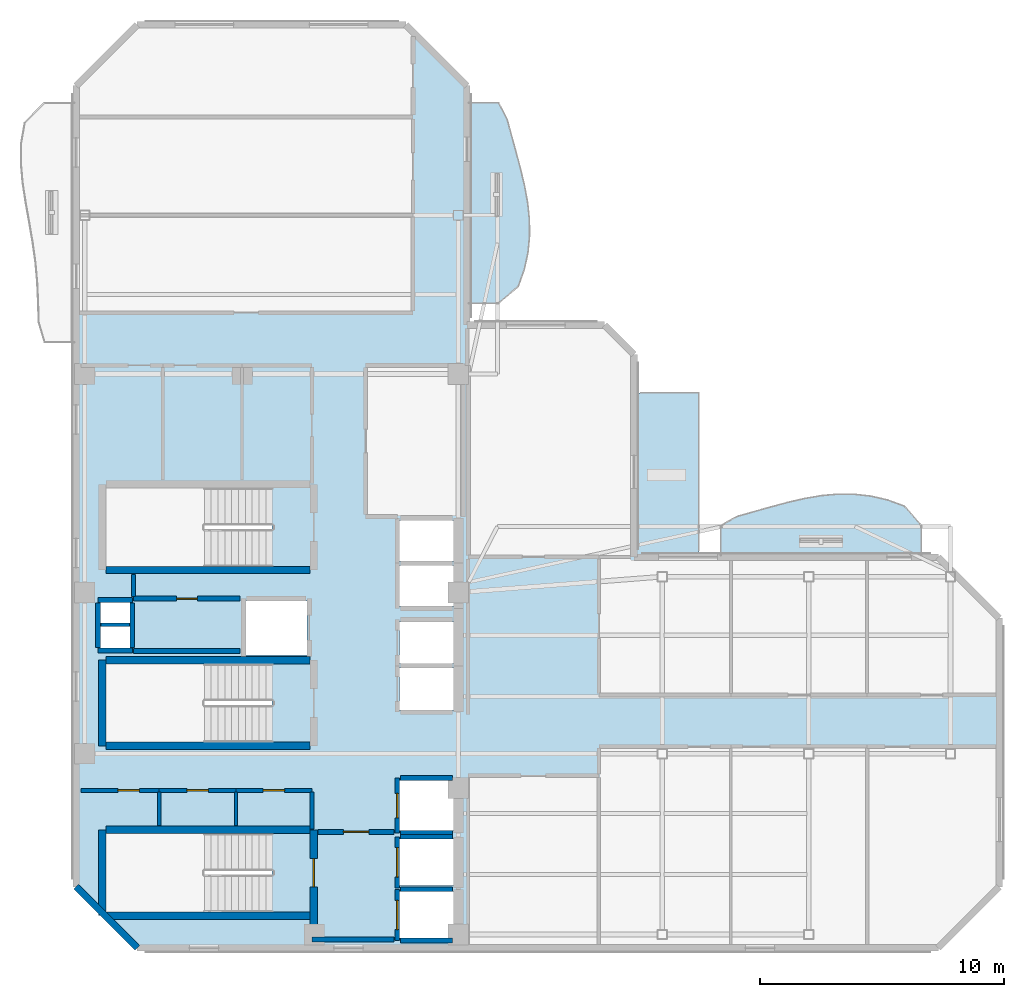
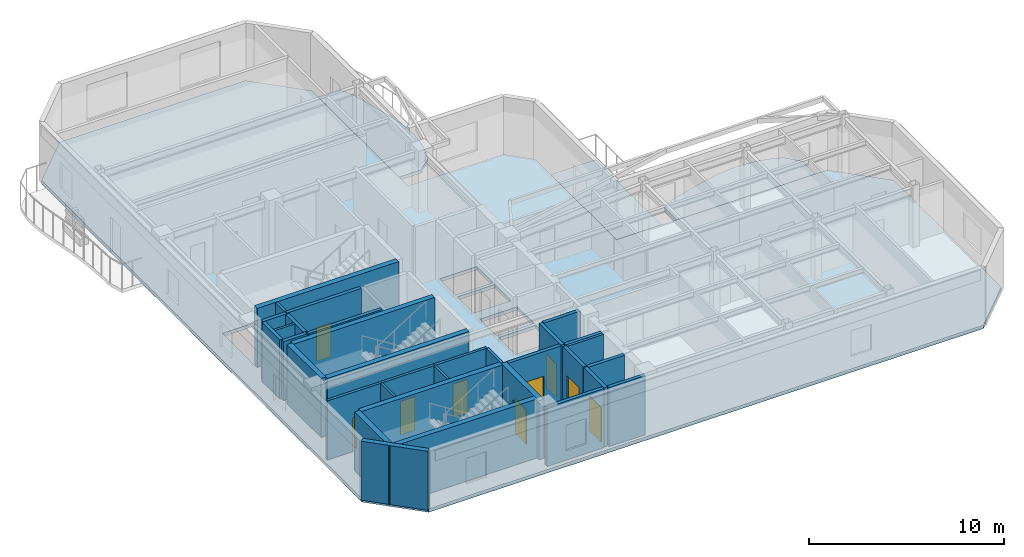
# One storey, part 2 of 8: 33 walls, 9 doors, 4 slabs, 9 openings.
"""IFC4 building model written with IfcOpenShell, lengths in metres."""

from ifc_helpers import new_model, si_unit, direction, frame, frame_2d, origin, place, context, subcontext, project, spatial, polyline, rectangle, outline, extrude, material, layer, layer_set, type_object, element, fill, save


model = new_model("IFC4")

# Units and contexts
model_context = context("Model", 3, precision=1e-05, world=origin(), true_north=direction((0.0, 1.0)))
body_context = subcontext(model_context, "Body", "Model", "MODEL_VIEW")
ifc_project = project(units=[si_unit("LENGTHUNIT", "METRE"), si_unit("AREAUNIT", "SQUARE_METRE"), si_unit("VOLUMEUNIT", "CUBIC_METRE"), si_unit("PLANEANGLEUNIT", "RADIAN"), si_unit("MASSUNIT", "GRAM", prefix="KILO")], contexts=[model_context])

# Site, building, storey
site_placement = place(None, origin())
site = spatial("IfcSite", under=ifc_project, at=site_placement, CompositionType="ELEMENT")
building_placement = place(site_placement, origin())
building = spatial("IfcBuilding", under=site, at=building_placement, Name="Mawjaban Terraces University", CompositionType="ELEMENT")
storey_placement = place(building_placement, frame((0.0, 0.0, 248.199951171875)))
storey = spatial("IfcBuildingStorey", under=building, at=storey_placement, Name="L60", CompositionType="ELEMENT", Elevation=248.199951171875)

# Slabs
ifc_material_1 = material(Name="Concrete C40/50", Category="concrete")
ifc_layer_1 = layer(ifc_material_1, 0.2099609375)
ifc_layer_set_1 = layer_set([ifc_layer_1], Name="Concrete C40/50")
slab_type_1 = type_object("IfcSlabType", Name="BalconySlab_210_Ext", PredefinedType="FLOOR", material=ifc_layer_set_1)
slab_1_placement = place(storey_placement, frame((0.0, 0.0, -0.2099609375)))
element("IfcSlab", 1, at=slab_1_placement, inside=storey, type_object=slab_type_1, Name="L60 Planted Balcony Slab inner_north", PredefinedType="FLOOR", context=body_context, shape_type="SweptSolid", body=[
    extrude(outline(polyline([(48.39990234375, 15.989990234375), (56.60009765625, 15.989990234375), (56.60009765625, 17.300048828125), (55.9169921875, 18.0869140625), (55.23291015625, 18.337890625), (54.550048828125, 18.4951171875), (53.866943359375, 18.572998046875), (53.18310546875, 18.577880859375), (52.5, 18.51611328125), (51.81689453125, 18.39794921875), (51.133056640625, 18.239013671875), (50.449951171875, 18.055908203125), (49.76708984375, 17.864013671875), (49.0830078125, 17.669921875), (48.39990234375, 17.300048828125), (48.39990234375, 15.989990234375)])), origin(), (0.0, 0.0, 1.0), 0.2099609375),
])
slab_2_placement = place(storey_placement, frame((0.0, 0.0, -0.2099609375)))
element("IfcSlab", 2, at=slab_2_placement, inside=storey, type_object=slab_type_1, Name="L60 Planted Balcony Slab inner_east", PredefinedType="FLOOR", context=body_context, shape_type="SweptSolid", body=[
    extrude(outline(polyline([(39.300048828125, 26.39990234375), (40.10009765625, 27.0830078125), (40.346923828125, 27.76708984375), (40.49609375, 28.449951171875), (40.56396484375, 29.133056640625), (40.55810546875, 29.81689453125), (40.487060546875, 30.5), (40.364013671875, 31.18310546875), (40.201904296875, 31.866943359375), (40.02099609375, 32.550048828125), (39.833984375, 33.23291015625), (39.64892578125, 33.9169921875), (39.300048828125, 34.60009765625), (37.989990234375, 34.60009765625), (37.989990234375, 26.39990234375), (39.300048828125, 26.39990234375)])), origin(), (0.0, 0.0, 1.0), 0.2099609375),
])
ifc_layer_2 = layer(ifc_material_1, 0.2099609375)
ifc_layer_set_2 = layer_set([ifc_layer_2], Name="Concrete C40/50")
slab_type_2 = type_object("IfcSlabType", Name="CompositeSlab_210", PredefinedType="FLOOR", material=ifc_layer_set_2)
slab_3_placement = place(storey_placement, frame((0.0, 0.0, -0.2099609375)))
element("IfcSlab", 3, at=slab_3_placement, inside=storey, type_object=slab_type_2, Name="L60 Primary Structural Slab", PredefinedType="FLOOR", context=body_context, shape_type="SweptSolid", body=[
    extrude(outline(polyline([(24.5, 0.0), (57.300048828125, 0.0), (59.800048828125, 2.5), (59.800048828125, 13.5), (57.300048828125, 16.0), (44.840087890625, 16.0), (44.840087890625, 24.300048828125), (43.639892578125, 25.5), (38.0, 25.5), (38.0, 35.300048828125), (35.5, 37.800048828125), (24.5, 37.800048828125), (22.0, 35.300048828125), (22.0, 2.5), (24.5, 0.0)]), holes=[polyline([(30.014892578125, 4.699951171875), (23.199951171875, 4.699951171875), (23.199951171875, 1.449951171875), (30.014892578125, 1.449951171875), (30.014892578125, 4.699951171875)]), polyline([(30.014892578125, 18.85009765625), (23.199951171875, 18.85009765625), (23.199951171875, 15.60009765625), (30.014892578125, 15.60009765625), (30.014892578125, 18.85009765625)]), polyline([(30.014892578125, 11.64990234375), (23.199951171875, 11.64990234375), (23.199951171875, 8.39990234375), (30.014892578125, 8.39990234375), (30.014892578125, 11.64990234375)]), polyline([(35.25, 0.39990234375), (37.449951171875, 0.39990234375), (37.449951171875, 2.300048828125), (35.25, 2.300048828125), (35.25, 0.39990234375)]), polyline([(35.25, 2.550048828125), (37.449951171875, 2.550048828125), (37.449951171875, 4.449951171875), (35.25, 4.449951171875), (35.25, 2.550048828125)]), polyline([(35.25, 4.800048828125), (37.449951171875, 4.800048828125), (37.449951171875, 6.85009765625), (35.25, 6.85009765625), (35.25, 4.800048828125)]), polyline([(35.25, 9.75), (37.449951171875, 9.75), (37.449951171875, 11.449951171875), (35.25, 11.449951171875), (35.25, 9.75)]), polyline([(35.25, 11.64990234375), (37.449951171875, 11.64990234375), (37.449951171875, 13.35009765625), (35.25, 13.35009765625), (35.25, 11.64990234375)]), polyline([(28.949951171875, 12.0), (31.449951171875, 12.0), (31.449951171875, 14.199951171875), (28.949951171875, 14.199951171875), (28.949951171875, 12.0)]), polyline([(35.25, 14.0), (37.449951171875, 14.0), (37.449951171875, 15.64990234375), (35.25, 15.64990234375), (35.25, 14.0)]), polyline([(35.25, 15.85009765625), (37.449951171875, 15.85009765625), (37.449951171875, 17.5), (35.25, 17.5), (35.25, 15.85009765625)]), polyline([(23.0, 12.25), (24.199951171875, 12.25), (24.199951171875, 13.14990234375), (23.0, 13.14990234375), (23.0, 12.25)]), polyline([(23.0, 13.300048828125), (24.199951171875, 13.300048828125), (24.199951171875, 14.179931640625), (23.0, 14.179931640625), (23.0, 13.300048828125)])]), origin(), (0.0, 0.0, 1.0), 0.2099609375),
])
ifc_layer_3 = layer(ifc_material_1, 0.2099609375)
ifc_layer_set_3 = layer_set([ifc_layer_3], Name="Concrete C40/50")
slab_type_3 = type_object("IfcSlabType", Name="StudyTerraceSlab_210_Ext", PredefinedType="FLOOR", material=ifc_layer_set_3)
slab_4_placement = place(storey_placement, frame((0.0, 0.0, -0.2099609375)))
element("IfcSlab", 4, at=slab_4_placement, inside=storey, type_object=slab_type_3, Name="L60 Exterior Study Terrace Slab", PredefinedType="FLOOR", context=body_context, shape_type="SweptSolid", body=[
    extrude(outline(polyline([(44.840087890625, 16.0), (47.5, 16.0), (47.5, 22.72509765625), (44.840087890625, 22.72509765625), (44.840087890625, 16.0)])), origin(), (0.0, 0.0, 1.0), 0.2099609375),
])

# Wall, opening, door
ifc_material_2 = material(Name="Fire-rated gypsum board on steel stud", Category="steel")
ifc_layer_4 = layer(ifc_material_2, 0.159912109375)
ifc_layer_set_4 = layer_set([ifc_layer_4], Name="Fire-rated gypsum board on steel stud")
wall_type_1 = type_object("IfcWallType", Name="CorridorPartition_160", PredefinedType="PARTITIONING", material=ifc_layer_set_4)
wall_1_placement = place(storey_placement, frame((22.199951171875, 6.449951171875, 0.0), z_axis=(0.0, 0.0, 1.0), x_axis=(1.0, 0.0, 0.0)))
wall_1 = element("IfcWall", 5, at=wall_1_placement, inside=storey, type_object=wall_type_1, Name="L60 Core Washroom Lobby Partition 1", PredefinedType="PARTITIONING", context=body_context, shape_type="SweptSolid", body=[
    extrude(rectangle(XDim=3.199951171875, YDim=0.159912109375, at=frame_2d((1.60009765625, 0.0))), origin(), (0.0, 0.0, 1.0), 3.68994140625),
])
opening_1_placement = place(wall_1_placement, frame((1.510009765625, 0.0, 0.0)))
opening_1 = element("IfcOpeningElement", 6, at=opening_1_placement, cuts=wall_1, Name="Opening ID-088", PredefinedType="OPENING", context=body_context, shape_type="SweptSolid", body=[
    extrude(rectangle(XDim=0.8798828125, YDim=2.10009765625, at=frame_2d((0.43994140625, 1.050048828125))), frame((0.0, 0.08984375, 0.0), z_axis=(0.0, -1.0, 0.0), x_axis=(1.0, 0.0, 0.0)), (0.0, 0.0, 1.0), 0.179931640625),
])
ifc_material_3 = material(Name="Powder-coated steel frame and solid acoustic timber leaf", Category="steel")
door_type_1 = type_object("IfcDoorType", Name="ToiletDoor_880x2100", OperationType="NOTDEFINED", PredefinedType="DOOR", material=ifc_material_3)
door_1_placement = place(opening_1_placement, origin())
door_1 = element("IfcDoor", 7, at=door_1_placement, inside=storey, type_object=door_type_1, Name="L60 Male Toilet Door", OperationType="SINGLE_SWING_RIGHT", OverallHeight=2.10009765625, OverallWidth=0.8798828125, PredefinedType="DOOR", context=body_context, shape_type="SweptSolid", body=[
    extrude(rectangle(XDim=0.8798828125, YDim=2.10009765625, at=frame_2d((0.43994140625, 1.050048828125))), frame((0.0, 0.02490234375, 0.0), z_axis=(0.0, -1.0, 0.0), x_axis=(1.0, 0.0, 0.0)), (0.0, 0.0, 1.0), 0.050048828125),
])
fill(opening_1, door_1)

wall_2_placement = place(storey_placement, frame((25.39990234375, 6.449951171875, 0.0), z_axis=(0.0, 0.0, 1.0), x_axis=(1.0, 0.0, 0.0)))
wall_2 = element("IfcWall", 8, at=wall_2_placement, inside=storey, type_object=wall_type_1, Name="L60 Core Washroom Lobby Partition 4", PredefinedType="PARTITIONING", context=body_context, shape_type="SweptSolid", body=[
    extrude(rectangle(XDim=3.150146484375, YDim=0.159912109375, at=frame_2d((1.5751953125, 0.0))), origin(), (0.0, 0.0, 1.0), 3.68994140625),
])
opening_2_placement = place(wall_2_placement, frame((1.135009765625, 0.0, 0.0)))
opening_2 = element("IfcOpeningElement", 9, at=opening_2_placement, cuts=wall_2, Name="Opening ID-088", PredefinedType="OPENING", context=body_context, shape_type="SweptSolid", body=[
    extrude(rectangle(XDim=0.8798828125, YDim=2.10009765625, at=frame_2d((0.43994140625, 1.050048828125))), frame((0.0, 0.08984375, 0.0), z_axis=(0.0, -1.0, 0.0), x_axis=(1.0, 0.0, 0.0)), (0.0, 0.0, 1.0), 0.179931640625),
])
door_2_placement = place(opening_2_placement, origin())
door_2 = element("IfcDoor", 10, at=door_2_placement, inside=storey, type_object=door_type_1, Name="L60 Female Toilet Door", OperationType="SINGLE_SWING_LEFT", OverallHeight=2.10009765625, OverallWidth=0.8798828125, PredefinedType="DOOR", context=body_context, shape_type="SweptSolid", body=[
    extrude(rectangle(XDim=0.8798828125, YDim=2.10009765625, at=frame_2d((0.43994140625, 1.050048828125))), frame((0.0, 0.02490234375, 0.0), z_axis=(0.0, -1.0, 0.0), x_axis=(1.0, 0.0, 0.0)), (0.0, 0.0, 1.0), 0.050048828125),
])
fill(opening_2, door_2)

wall_3_placement = place(storey_placement, frame((28.550048828125, 6.449951171875, 0.0), z_axis=(0.0, 0.0, 1.0), x_axis=(1.0, 0.0, 0.0)))
wall_3 = element("IfcWall", 11, at=wall_3_placement, inside=storey, type_object=wall_type_1, Name="L60 Core Washroom Lobby Partition 6", PredefinedType="PARTITIONING", context=body_context, shape_type="SweptSolid", body=[
    extrude(rectangle(XDim=3.099853515625, YDim=0.159912109375, at=frame_2d((1.5498046875, 0.0))), origin(), (0.0, 0.0, 1.0), 3.68994140625),
])
opening_3_placement = place(wall_3_placement, frame((1.110107421875, 0.0, 0.0)))
opening_3 = element("IfcOpeningElement", 12, at=opening_3_placement, cuts=wall_3, Name="Opening ID-088", PredefinedType="OPENING", context=body_context, shape_type="SweptSolid", body=[
    extrude(rectangle(XDim=0.8798828125, YDim=2.10009765625, at=frame_2d((0.43994140625, 1.050048828125))), frame((0.0, 0.08984375, 0.0), z_axis=(0.0, -1.0, 0.0), x_axis=(1.0, 0.0, 0.0)), (0.0, 0.0, 1.0), 0.179931640625),
])
door_3_placement = place(opening_3_placement, origin())
door_3 = element("IfcDoor", 13, at=door_3_placement, inside=storey, type_object=door_type_1, Name="L60 Accessible Toilet Door", OperationType="SINGLE_SWING_RIGHT", OverallHeight=2.10009765625, OverallWidth=0.8798828125, PredefinedType="DOOR", context=body_context, shape_type="SweptSolid", body=[
    extrude(rectangle(XDim=0.8798828125, YDim=2.10009765625, at=frame_2d((0.43994140625, 1.050048828125))), frame((0.0, 0.02490234375, 0.0), z_axis=(0.0, -1.0, 0.0), x_axis=(1.0, 0.0, 0.0)), (0.0, 0.0, 1.0), 0.050048828125),
])
fill(opening_3, door_3)

# Walls
wall_4_placement = place(storey_placement, frame((24.35009765625, 15.2900390625, 0.0), z_axis=(0.0, 0.0, 1.0), x_axis=(0.0, -1.0, 0.0)))
element("IfcWall", 14, at=wall_4_placement, inside=storey, type_object=wall_type_1, Name="L60 Core Riser Access Passage Partition 25", PredefinedType="PARTITIONING", context=body_context, shape_type="SweptSolid", body=[
    extrude(rectangle(XDim=0.89501953125, YDim=0.159912109375, at=frame_2d((0.447509765625, 0.0))), origin(), (0.0, 0.0, 1.0), 3.68994140625),
])
wall_5_placement = place(storey_placement, frame((31.64990234375, 4.860107421875, 0.0), z_axis=(0.0, 0.0, 1.0), x_axis=(0.0, 1.0, 0.0)))
element("IfcWall", 15, at=wall_5_placement, inside=storey, type_object=wall_type_1, Name="L60 Accessible Toilet Partition 30", PredefinedType="PARTITIONING", context=body_context, shape_type="SweptSolid", body=[
    extrude(rectangle(XDim=1.514892578125, YDim=0.159912109375, at=frame_2d((0.75732421875, 0.0))), origin(), (0.0, 0.0, 1.0), 3.68994140625),
])
ifc_material_4 = material(Name="Insulated terracotta rainscreen on concrete backup C40/50", Category="masonry")
ifc_layer_5 = layer(ifc_material_4, 0.27490234375)
ifc_layer_set_5 = layer_set([ifc_layer_5], Name="Insulated terracotta rainscreen on concrete backup C40/50")
wall_type_2 = type_object("IfcWallType", Name="ExtTerracottaWall_275", PredefinedType="SOLIDWALL", material=ifc_layer_set_5)
wall_6_placement = place(storey_placement, frame((22.0, 2.5, 0.0), z_axis=(0.0, 0.0, 1.0), x_axis=(0.707106781187, -0.707106781187, 0.0)))
element("IfcWall", 16, at=wall_6_placement, inside=storey, type_object=wall_type_2, Name="L60 Exterior Terracotta Wall 14", PredefinedType="SOLIDWALL", context=body_context, shape_type="SweptSolid", body=[
    extrude(rectangle(XDim=3.53564453125, YDim=0.27490234375, at=frame_2d((1.767822265625, 0.0))), origin(), (0.0, 0.0, 1.0), 3.68994140625),
])

# Wall, opening, door
ifc_layer_6 = layer(ifc_material_1, 0.199951171875)
ifc_layer_set_6 = layer_set([ifc_layer_6], Name="Concrete C40/50")
wall_type_3 = type_object("IfcWallType", Name="FireLobbyWall_200", PredefinedType="SOLIDWALL", material=ifc_layer_set_6)
wall_7_placement = place(storey_placement, frame((35.14990234375, 2.39990234375, 0.0), z_axis=(0.0, 0.0, 1.0), x_axis=(0.0, -1.0, 0.0)))
wall_7 = element("IfcWall", 17, at=wall_7_placement, inside=storey, type_object=wall_type_3, Name="L60 Lift FL-1 Hoistway Wall West", PredefinedType="SOLIDWALL", context=body_context, shape_type="SweptSolid", body=[
    extrude(rectangle(XDim=2.099853515625, YDim=0.199951171875, at=frame_2d((1.0498046875, 0.0))), origin(), (0.0, 0.0, 1.0), 3.68994140625),
])
opening_4_placement = place(wall_7_placement, frame((0.449951171875, 0.0, 0.0)))
opening_4 = element("IfcOpeningElement", 18, at=opening_4_placement, cuts=wall_7, Name="Opening LD-FL-1", PredefinedType="OPENING", context=body_context, shape_type="SweptSolid", body=[
    extrude(rectangle(XDim=1.199951171875, YDim=2.14990234375, at=frame_2d((0.60009765625, 1.074951171875))), frame((0.0, 0.10986328125, 0.0), z_axis=(0.0, -1.0, 0.0), x_axis=(1.0, 0.0, 0.0)), (0.0, 0.0, 1.0), 0.219970703125),
])
ifc_material_5 = material(Name="Powder-coated steel frame and fire-rated steel-faced leaf", Category="steel")
door_type_2 = type_object("IfcDoorType", Name="LiftLandingFSAE_1200x2150", OperationType="NOTDEFINED", PredefinedType="DOOR", material=ifc_material_5)
door_4_placement = place(opening_4_placement, origin())
door_4 = element("IfcDoor", 19, at=door_4_placement, inside=storey, type_object=door_type_2, Name="L60 Lift FL-1 Sliding Landing Door", OperationType="DOUBLE_DOOR_SLIDING", OverallHeight=2.14990234375, OverallWidth=1.199951171875, PredefinedType="DOOR", context=body_context, shape_type="SweptSolid", body=[
    extrude(rectangle(XDim=1.199951171875, YDim=2.14990234375, at=frame_2d((0.60009765625, 1.074951171875))), frame((0.0, 0.02490234375, 0.0), z_axis=(0.0, -1.0, 0.0), x_axis=(1.0, 0.0, 0.0)), (0.0, 0.0, 1.0), 0.050048828125),
])
fill(opening_4, door_4)

# Walls
for number, where, z_axis, x_axis, name in (
    (20, (35.280029296875, 0.300048828125, 0.0), (0.0, 0.0, 1.0), (1.0, 0.0, 0.0), "L60 Lift FL-1 Hoistway Wall South"),
    (21, (37.419921875, 2.39990234375, 0.0), (0.0, 0.0, 1.0), (-1.0, 0.0, 0.0), "L60 Lift FL-1 Hoistway Wall North"),
):
    element("IfcWall", number, at=place(storey_placement, frame(where, z_axis=z_axis, x_axis=x_axis)), inside=storey, type_object=wall_type_3, Name=name, PredefinedType="SOLIDWALL", context=body_context, shape_type="SweptSolid", body=[
        extrude(rectangle(XDim=2.139892578125, YDim=0.199951171875, at=frame_2d((1.06982421875, 0.0))), origin(), (0.0, 0.0, 1.0), 3.68994140625),
    ])

# Wall, opening, door
wall_8_placement = place(storey_placement, frame((35.14990234375, 4.550048828125, 0.0), z_axis=(0.0, 0.0, 1.0), x_axis=(0.0, -1.0, 0.0)))
wall_8 = element("IfcWall", 22, at=wall_8_placement, inside=storey, type_object=wall_type_3, Name="L60 Lift FL-2 Hoistway Wall West", PredefinedType="SOLIDWALL", context=body_context, shape_type="SweptSolid", body=[
    extrude(rectangle(XDim=2.10009765625, YDim=0.199951171875, at=frame_2d((1.050048828125, 0.0))), origin(), (0.0, 0.0, 1.0), 3.68994140625),
])
opening_5_placement = place(wall_8_placement, frame((0.449951171875, 0.0, 0.0)))
opening_5 = element("IfcOpeningElement", 23, at=opening_5_placement, cuts=wall_8, Name="Opening LD-FL-2", PredefinedType="OPENING", context=body_context, shape_type="SweptSolid", body=[
    extrude(rectangle(XDim=1.199951171875, YDim=2.14990234375, at=frame_2d((0.60009765625, 1.074951171875))), frame((0.0, 0.10986328125, 0.0), z_axis=(0.0, -1.0, 0.0), x_axis=(1.0, 0.0, 0.0)), (0.0, 0.0, 1.0), 0.219970703125),
])
door_5_placement = place(opening_5_placement, origin())
door_5 = element("IfcDoor", 24, at=door_5_placement, inside=storey, type_object=door_type_2, Name="L60 Lift FL-2 Sliding Landing Door", OperationType="DOUBLE_DOOR_SLIDING", OverallHeight=2.14990234375, OverallWidth=1.199951171875, PredefinedType="DOOR", context=body_context, shape_type="SweptSolid", body=[
    extrude(rectangle(XDim=1.199951171875, YDim=2.14990234375, at=frame_2d((0.60009765625, 1.074951171875))), frame((0.0, 0.02490234375, 0.0), z_axis=(0.0, -1.0, 0.0), x_axis=(1.0, 0.0, 0.0)), (0.0, 0.0, 1.0), 0.050048828125),
])
fill(opening_5, door_5)

# Wall
wall_9_placement = place(storey_placement, frame((37.419921875, 4.550048828125, 0.0), z_axis=(0.0, 0.0, 1.0), x_axis=(-1.0, 0.0, 0.0)))
element("IfcWall", 25, at=wall_9_placement, inside=storey, type_object=wall_type_3, Name="L60 Lift FL-2 Hoistway Wall North", PredefinedType="SOLIDWALL", context=body_context, shape_type="SweptSolid", body=[
    extrude(rectangle(XDim=2.139892578125, YDim=0.199951171875, at=frame_2d((1.06982421875, 0.0))), origin(), (0.0, 0.0, 1.0), 3.68994140625),
])

# Wall, opening, door
wall_10_placement = place(storey_placement, frame((35.14990234375, 6.949951171875, 0.0), z_axis=(0.0, 0.0, 1.0), x_axis=(0.0, -1.0, 0.0)))
wall_10 = element("IfcWall", 26, at=wall_10_placement, inside=storey, type_object=wall_type_3, Name="L60 Lift SL-1 Hoistway Wall West", PredefinedType="SOLIDWALL", context=body_context, shape_type="SweptSolid", body=[
    extrude(rectangle(XDim=2.25, YDim=0.199951171875, at=frame_2d((1.125, 0.0))), origin(), (0.0, 0.0, 1.0), 3.68994140625),
])
opening_6_placement = place(wall_10_placement, frame((0.625, 0.0, 0.0)))
opening_6 = element("IfcOpeningElement", 27, at=opening_6_placement, cuts=wall_10, Name="Opening LD-SL-1", PredefinedType="OPENING", context=body_context, shape_type="SweptSolid", body=[
    extrude(rectangle(XDim=1.0, YDim=2.10009765625, at=frame_2d((0.5, 1.050048828125))), frame((0.0, 0.10986328125, 0.0), z_axis=(0.0, -1.0, 0.0), x_axis=(1.0, 0.0, 0.0)), (0.0, 0.0, 1.0), 0.219970703125),
])
door_type_3 = type_object("IfcDoorType", Name="LiftLandingSliding_1000x2100", OperationType="NOTDEFINED", PredefinedType="DOOR", material=ifc_material_5)
door_6_placement = place(opening_6_placement, origin())
door_6 = element("IfcDoor", 28, at=door_6_placement, inside=storey, type_object=door_type_3, Name="L60 Lift SL-1 Sliding Landing Door", OperationType="DOUBLE_DOOR_SLIDING", OverallHeight=2.10009765625, OverallWidth=1.0, PredefinedType="DOOR", context=body_context, shape_type="SweptSolid", body=[
    extrude(rectangle(XDim=1.0, YDim=2.10009765625, at=frame_2d((0.5, 1.050048828125))), frame((0.0, 0.02490234375, 0.0), z_axis=(0.0, -1.0, 0.0), x_axis=(1.0, 0.0, 0.0)), (0.0, 0.0, 1.0), 0.050048828125),
])
fill(opening_6, door_6)

# Walls
for number, where, z_axis, x_axis, name in (
    (29, (35.280029296875, 4.699951171875, 0.0), (0.0, 0.0, 1.0), (1.0, 0.0, 0.0), "L60 Lift SL-1 Hoistway Wall South"),
    (30, (37.419921875, 6.949951171875, 0.0), (0.0, 0.0, 1.0), (-1.0, 0.0, 0.0), "L60 Lift SL-1 Hoistway Wall North"),
):
    element("IfcWall", number, at=place(storey_placement, frame(where, z_axis=z_axis, x_axis=x_axis)), inside=storey, type_object=wall_type_3, Name=name, PredefinedType="SOLIDWALL", context=body_context, shape_type="SweptSolid", body=[
        extrude(rectangle(XDim=2.139892578125, YDim=0.199951171875, at=frame_2d((1.06982421875, 0.0))), origin(), (0.0, 0.0, 1.0), 3.68994140625),
    ])
for number, where, z_axis, x_axis, name in (
    (31, (22.89990234375, 14.25, 0.0), (0.0, 0.0, 1.0), (1.0, 0.0, 0.0), "L60 MEP Riser Shaft Wall N"),
    (32, (22.89990234375, 12.179931640625, 0.0), (0.0, 0.0, 1.0), (1.0, 0.0, 0.0), "L60 MEP Riser Shaft Wall S"),
):
    element("IfcWall", number, at=place(storey_placement, frame(where, z_axis=z_axis, x_axis=x_axis)), inside=storey, type_object=wall_type_3, Name=name, PredefinedType="SOLIDWALL", context=body_context, shape_type="SweptSolid", body=[
        extrude(rectangle(XDim=1.400146484375, YDim=0.199951171875, at=frame_2d((0.7001953125, 0.0))), origin(), (0.0, 0.0, 1.0), 3.68994140625),
    ])
for number, where, z_axis, x_axis, name in (
    (33, (24.300048828125, 12.300048828125, 0.0), (0.0, 0.0, 1.0), (0.0, 1.0, 0.0), "L60 MEP Riser Shaft Wall E"),
    (34, (22.89990234375, 12.300048828125, 0.0), (0.0, 0.0, 1.0), (0.0, 1.0, 0.0), "L60 MEP Riser Shaft Wall W"),
):
    element("IfcWall", number, at=place(storey_placement, frame(where, z_axis=z_axis, x_axis=x_axis)), inside=storey, type_object=wall_type_3, Name=name, PredefinedType="SOLIDWALL", context=body_context, shape_type="SweptSolid", body=[
        extrude(rectangle(XDim=1.829833984375, YDim=0.199951171875, at=frame_2d((0.9150390625, 0.0))), origin(), (0.0, 0.0, 1.0), 3.68994140625),
    ])
wall_11_placement = place(storey_placement, frame((24.35009765625, 12.14990234375, 0.0), z_axis=(0.0, 0.0, 1.0), x_axis=(1.0, 0.0, 0.0)))
element("IfcWall", 35, at=wall_11_placement, inside=storey, type_object=wall_type_3, Name="L60 IT and Telecoms Riser Room Partition 2", PredefinedType="SOLIDWALL", context=body_context, shape_type="SweptSolid", body=[
    extrude(rectangle(XDim=4.369873046875, YDim=0.199951171875, at=frame_2d((2.18505859375, 0.0))), origin(), (0.0, 0.0, 1.0), 3.68994140625),
])

# Wall, opening, door
wall_12_placement = place(storey_placement, frame((24.35009765625, 14.300048828125, 0.0), z_axis=(0.0, 0.0, 1.0), x_axis=(1.0, 0.0, 0.0)))
wall_12 = element("IfcWall", 36, at=wall_12_placement, inside=storey, type_object=wall_type_3, Name="L60 Core Riser Access Passage Partition 3", PredefinedType="SOLIDWALL", context=body_context, shape_type="SweptSolid", body=[
    extrude(rectangle(XDim=4.369873046875, YDim=0.199951171875, at=frame_2d((2.18505859375, 0.0))), origin(), (0.0, 0.0, 1.0), 3.68994140625),
])
opening_7_placement = place(wall_12_placement, frame((1.760009765625, 0.0, 0.0)))
opening_7 = element("IfcOpeningElement", 37, at=opening_7_placement, cuts=wall_12, Name="Opening FD-085", PredefinedType="OPENING", context=body_context, shape_type="SweptSolid", body=[
    extrude(rectangle(XDim=0.85009765625, YDim=2.10009765625, at=frame_2d((0.425048828125, 1.050048828125))), frame((0.0, 0.10986328125, 0.0), z_axis=(0.0, -1.0, 0.0), x_axis=(1.0, 0.0, 0.0)), (0.0, 0.0, 1.0), 0.219970703125),
])
door_type_4 = type_object("IfcDoorType", Name="FireRiserDoor_850x2100", OperationType="NOTDEFINED", PredefinedType="DOOR", material=ifc_material_5)
door_7_placement = place(opening_7_placement, origin())
door_7 = element("IfcDoor", 38, at=door_7_placement, inside=storey, type_object=door_type_4, Name="L60 IT and Telecoms Riser Room Door", OperationType="SINGLE_SWING_LEFT", OverallHeight=2.10009765625, OverallWidth=0.85009765625, PredefinedType="DOOR", context=body_context, shape_type="SweptSolid", body=[
    extrude(rectangle(XDim=0.85009765625, YDim=2.10009765625, at=frame_2d((0.425048828125, 1.050048828125))), frame((0.0, 0.02490234375, 0.0), z_axis=(0.0, -1.0, 0.0), x_axis=(1.0, 0.0, 0.0)), (0.0, 0.0, 1.0), 0.050048828125),
])
fill(opening_7, door_7)

# Wall
wall_13_placement = place(storey_placement, frame((31.64990234375, 0.35009765625, 0.0), z_axis=(0.0, 0.0, 1.0), x_axis=(1.0, 0.0, 0.0)))
element("IfcWall", 39, at=wall_13_placement, inside=storey, type_object=wall_type_3, Name="L60 Firefighting Lift Lobby Partition 8", PredefinedType="SOLIDWALL", context=body_context, shape_type="SweptSolid", body=[
    extrude(rectangle(XDim=3.3701171875, YDim=0.199951171875, at=frame_2d((1.68505859375, 0.0))), origin(), (0.0, 0.0, 1.0), 3.68994140625),
])

# Wall, opening, door
wall_14_placement = place(storey_placement, frame((35.02001953125, 4.75, 0.0), z_axis=(0.0, 0.0, 1.0), x_axis=(-1.0, 0.0, 0.0)))
wall_14 = element("IfcWall", 40, at=wall_14_placement, inside=storey, type_object=wall_type_3, Name="L60 Firefighting Lift Lobby Partition 11", PredefinedType="SOLIDWALL", context=body_context, shape_type="SweptSolid", body=[
    extrude(rectangle(XDim=3.110107421875, YDim=0.199951171875, at=frame_2d((1.55517578125, 0.0))), origin(), (0.0, 0.0, 1.0), 3.68994140625),
])
opening_8_placement = place(wall_14_placement, frame((1.030029296875, 0.0, 0.0)))
opening_8 = element("IfcOpeningElement", 41, at=opening_8_placement, cuts=wall_14, Name="Opening FD-105", PredefinedType="OPENING", context=body_context, shape_type="SweptSolid", body=[
    extrude(rectangle(XDim=1.050048828125, YDim=2.14990234375, at=frame_2d((0.52490234375, 1.074951171875))), frame((0.0, 0.10986328125, 0.0), z_axis=(0.0, -1.0, 0.0), x_axis=(1.0, 0.0, 0.0)), (0.0, 0.0, 1.0), 0.219970703125),
])
door_type_5 = type_object("IfcDoorType", Name="FireLobbyDoor_1050x2150", OperationType="NOTDEFINED", PredefinedType="DOOR", material=ifc_material_5)
door_8_placement = place(opening_8_placement, origin())
door_8 = element("IfcDoor", 42, at=door_8_placement, inside=storey, type_object=door_type_5, Name="L60 Firefighting Lift Lobby Door", OperationType="SINGLE_SWING_LEFT", OverallHeight=2.14990234375, OverallWidth=1.050048828125, PredefinedType="DOOR", context=body_context, shape_type="SweptSolid", body=[
    extrude(rectangle(XDim=1.050048828125, YDim=2.14990234375, at=frame_2d((0.52490234375, 1.074951171875))), frame((0.0, 0.02490234375, 0.0), z_axis=(0.0, -1.0, 0.0), x_axis=(1.0, 0.0, 0.0)), (0.0, 0.0, 1.0), 0.050048828125),
])
fill(opening_8, door_8)

# Walls
ifc_material_6 = material(Name="Moisture-resistant gypsum board on steel stud", Category="steel")
ifc_layer_7 = layer(ifc_material_6, 0.14501953125)
ifc_layer_set_7 = layer_set([ifc_layer_7], Name="Moisture-resistant gypsum board on steel stud")
wall_type_4 = type_object("IfcWallType", Name="LabPartition_145", PredefinedType="PARTITIONING", material=ifc_layer_set_7)
wall_15_placement = place(storey_placement, frame((23.010009765625, 13.22509765625, 0.0), z_axis=(0.0, 0.0, 1.0), x_axis=(1.0, 0.0, 0.0)))
element("IfcWall", 43, at=wall_15_placement, inside=storey, type_object=wall_type_4, Name="L60 MEP Riser Shaft Wall M", PredefinedType="PARTITIONING", context=body_context, shape_type="SweptSolid", body=[
    extrude(rectangle(XDim=1.179931640625, YDim=0.14501953125, at=frame_2d((0.58984375, 0.0))), origin(), (0.0, 0.0, 1.0), 3.68994140625),
])
ifc_material_7 = material(Name="Concrete C60/75", Category="concrete")
ifc_layer_8 = layer(ifc_material_7, 0.300048828125)
ifc_layer_set_8 = layer_set([ifc_layer_8], Name="Concrete C60/75")
wall_type_5 = type_object("IfcWallType", Name="StairShaftWall_300", PredefinedType="SHEAR", material=ifc_layer_set_8)
wall_16_placement = place(storey_placement, frame((31.580078125, 4.830078125, 0.0), z_axis=(0.0, 0.0, 1.0), x_axis=(-1.0, 0.0, 0.0)))
element("IfcWall", 44, at=wall_16_placement, inside=storey, type_object=wall_type_5, Name="L60 ST-1 Stair Shaft Wall 1", PredefinedType="SHEAR", context=body_context, shape_type="SweptSolid", body=[
    extrude(rectangle(XDim=8.360107421875, YDim=0.300048828125, at=frame_2d((4.18017578125, 0.0))), origin(), (0.0, 0.0, 1.0), 3.68994140625),
])
wall_17_placement = place(storey_placement, frame((23.070068359375, 4.830078125, 0.0), z_axis=(0.0, 0.0, 1.0), x_axis=(0.0, -1.0, 0.0)))
element("IfcWall", 45, at=wall_17_placement, inside=storey, type_object=wall_type_5, Name="L60 ST-1 Stair Shaft Wall 2", PredefinedType="SHEAR", context=body_context, shape_type="SweptSolid", body=[
    extrude(rectangle(XDim=3.510009765625, YDim=0.300048828125, at=frame_2d((1.7548828125, 0.0))), origin(), (0.0, 0.0, 1.0), 3.68994140625),
])
wall_18_placement = place(storey_placement, frame((23.219970703125, 1.320068359375, 0.0), z_axis=(0.0, 0.0, 1.0), x_axis=(1.0, 0.0, 0.0)))
element("IfcWall", 46, at=wall_18_placement, inside=storey, type_object=wall_type_5, Name="L60 ST-1 Stair Shaft Wall 3", PredefinedType="SHEAR", context=body_context, shape_type="SweptSolid", body=[
    extrude(rectangle(XDim=8.360107421875, YDim=0.300048828125, at=frame_2d((4.18017578125, 0.0))), origin(), (0.0, 0.0, 1.0), 3.68994140625),
])

# Wall, opening, door
wall_19_placement = place(storey_placement, frame((31.72998046875, 0.9599609375, 0.0), z_axis=(0.0, 0.0, 1.0), x_axis=(0.0, 1.0, 0.0)))
wall_19 = element("IfcWall", 47, at=wall_19_placement, inside=storey, type_object=wall_type_5, Name="L60 ST-1 Stair Shaft Wall 4", PredefinedType="SHEAR", context=body_context, shape_type="SweptSolid", body=[
    extrude(rectangle(XDim=3.8701171875, YDim=0.300048828125, at=frame_2d((1.93505859375, 0.0))), origin(), (0.0, 0.0, 1.0), 3.68994140625),
])
opening_9_placement = place(wall_19_placement, frame((1.5400390625, 0.0, 0.0)))
opening_9 = element("IfcOpeningElement", 48, at=opening_9_placement, cuts=wall_19, Name="Opening FD-115", PredefinedType="OPENING", context=body_context, shape_type="SweptSolid", body=[
    extrude(rectangle(XDim=1.14990234375, YDim=2.14990234375, at=frame_2d((0.574951171875, 1.074951171875))), frame((0.0, 0.159912109375, 0.0), z_axis=(0.0, -1.0, 0.0), x_axis=(1.0, 0.0, 0.0)), (0.0, 0.0, 1.0), 0.320068359375),
])
door_type_6 = type_object("IfcDoorType", Name="FireStairDoor_1150x2150", OperationType="NOTDEFINED", PredefinedType="DOOR", material=ifc_material_5)
door_9_placement = place(opening_9_placement, origin())
door_9 = element("IfcDoor", 49, at=door_9_placement, inside=storey, type_object=door_type_6, Name="L60 ST-1 Pressurised Stair Fire Door", OperationType="SINGLE_SWING_RIGHT", OverallHeight=2.14990234375, OverallWidth=1.14990234375, PredefinedType="DOOR", context=body_context, shape_type="SweptSolid", body=[
    extrude(rectangle(XDim=1.14990234375, YDim=2.14990234375, at=frame_2d((0.574951171875, 1.074951171875))), frame((0.0, 0.02490234375, 0.0), z_axis=(0.0, -1.0, 0.0), x_axis=(1.0, 0.0, 0.0)), (0.0, 0.0, 1.0), 0.050048828125),
])
fill(opening_9, door_9)

# Walls
for number, where, z_axis, x_axis, name in (
    (50, (23.219970703125, 15.469970703125, 0.0), (0.0, 0.0, 1.0), (1.0, 0.0, 0.0), "L60 ST-2 Stair Shaft Wall 3"),
    (51, (31.580078125, 11.780029296875, 0.0), (0.0, 0.0, 1.0), (-1.0, 0.0, 0.0), "L60 ST-3 Stair Shaft Wall 1"),
):
    element("IfcWall", number, at=place(storey_placement, frame(where, z_axis=z_axis, x_axis=x_axis)), inside=storey, type_object=wall_type_5, Name=name, PredefinedType="SHEAR", context=body_context, shape_type="SweptSolid", body=[
        extrude(rectangle(XDim=8.360107421875, YDim=0.300048828125, at=frame_2d((4.18017578125, 0.0))), origin(), (0.0, 0.0, 1.0), 3.68994140625),
    ])
wall_20_placement = place(storey_placement, frame((23.070068359375, 11.780029296875, 0.0), z_axis=(0.0, 0.0, 1.0), x_axis=(0.0, -1.0, 0.0)))
element("IfcWall", 52, at=wall_20_placement, inside=storey, type_object=wall_type_5, Name="L60 ST-3 Stair Shaft Wall 2", PredefinedType="SHEAR", context=body_context, shape_type="SweptSolid", body=[
    extrude(rectangle(XDim=3.510009765625, YDim=0.300048828125, at=frame_2d((1.7548828125, 0.0))), origin(), (0.0, 0.0, 1.0), 3.68994140625),
])
wall_21_placement = place(storey_placement, frame((23.219970703125, 8.27001953125, 0.0), z_axis=(0.0, 0.0, 1.0), x_axis=(1.0, 0.0, 0.0)))
element("IfcWall", 53, at=wall_21_placement, inside=storey, type_object=wall_type_5, Name="L60 ST-3 Stair Shaft Wall 3", PredefinedType="SHEAR", context=body_context, shape_type="SweptSolid", body=[
    extrude(rectangle(XDim=8.360107421875, YDim=0.300048828125, at=frame_2d((4.18017578125, 0.0))), origin(), (0.0, 0.0, 1.0), 3.68994140625),
])
ifc_material_8 = material(Name="Cement-board wet-room partition", Category="masonry")
ifc_layer_9 = layer(ifc_material_8, 0.135009765625)
ifc_layer_set_9 = layer_set([ifc_layer_9], Name="Cement-board wet-room partition")
wall_type_6 = type_object("IfcWallType", Name="WetRoomPartition_135", PredefinedType="PARTITIONING", material=ifc_layer_set_9)
for number, where, z_axis, x_axis, name in (
    (54, (25.39990234375, 5.010009765625, 0.0), (0.0, 0.0, 1.0), (0.0, 1.0, 0.0), "L60 Male Toilet Partition 26"),
    (55, (28.550048828125, 5.010009765625, 0.0), (0.0, 0.0, 1.0), (0.0, 1.0, 0.0), "L60 Female Toilet Partition 28"),
):
    element("IfcWall", number, at=place(storey_placement, frame(where, z_axis=z_axis, x_axis=x_axis)), inside=storey, type_object=wall_type_6, Name=name, PredefinedType="PARTITIONING", context=body_context, shape_type="SweptSolid", body=[
        extrude(rectangle(XDim=1.364990234375, YDim=0.135009765625, at=frame_2d((0.6826171875, 0.0))), origin(), (0.0, 0.0, 1.0), 3.68994140625),
    ])

save(model, "model.ifc")
